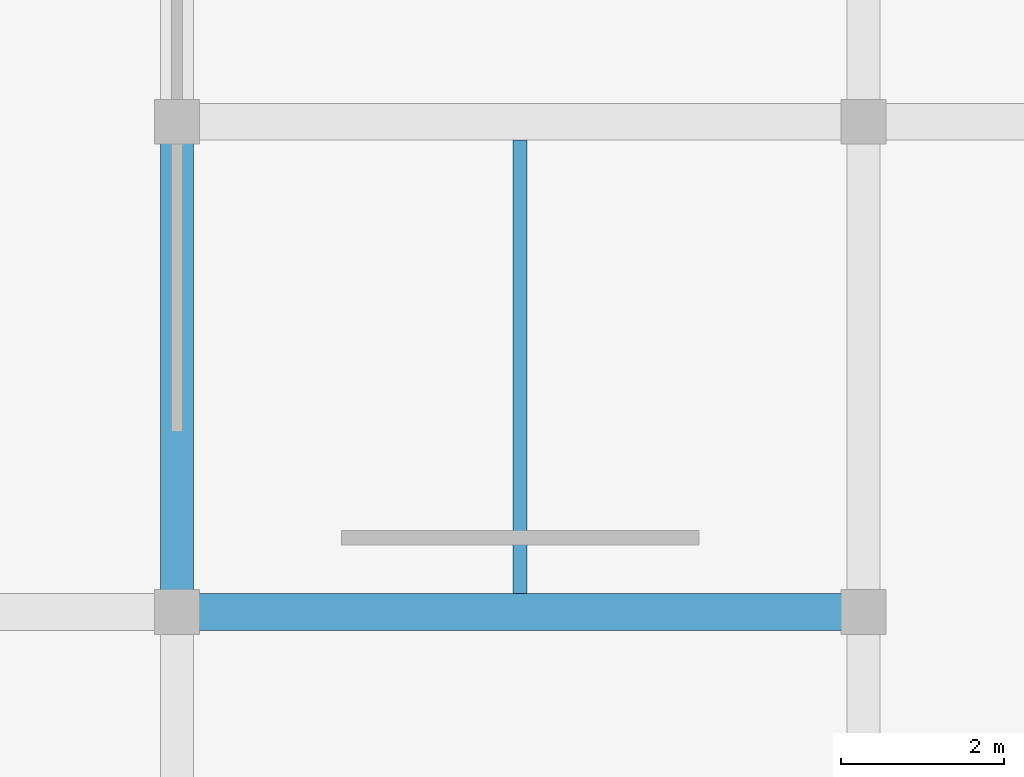
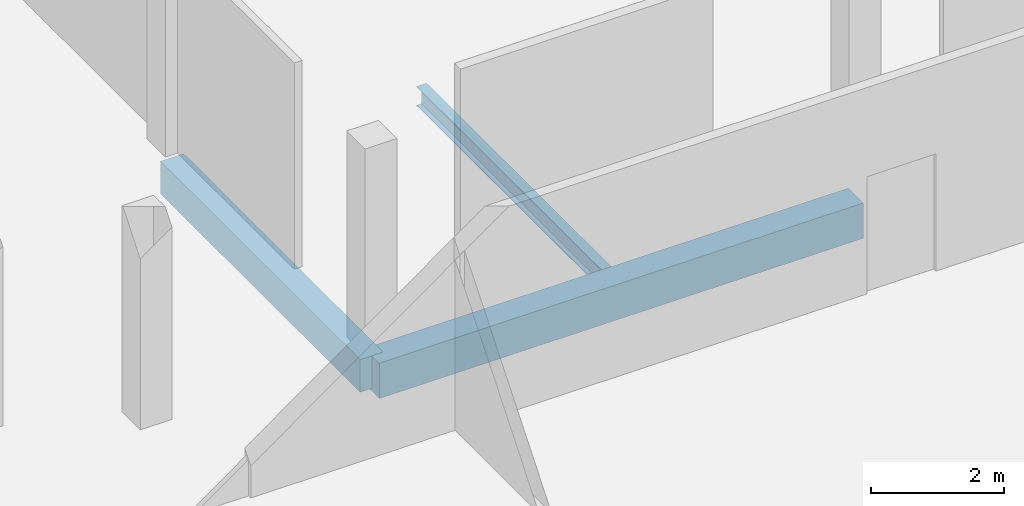
# One storey, part 10 of 66: 3 beams.
"""IFC4 building model written with IfcOpenShell, lengths in metres."""

from ifc_helpers import new_model, si_unit, direction, frame, origin, origin_2d, place, context, subcontext, project, spatial, rectangle, i_section, extrude, material, material_profile, profile_set, type_object, element, save


model = new_model("IFC4")

# Units and contexts
model_context = context("Model", 3, precision=1e-05, world=origin(), true_north=direction((0.0, 1.0)))
body_context = subcontext(model_context, "Body", "Model", "MODEL_VIEW")
ifc_project = project(units=[si_unit("LENGTHUNIT", "METRE"), si_unit("AREAUNIT", "SQUARE_METRE"), si_unit("VOLUMEUNIT", "CUBIC_METRE"), si_unit("PLANEANGLEUNIT", "RADIAN"), si_unit("MASSUNIT", "GRAM", prefix="KILO")], contexts=[model_context])

# Site, building, storey
site_placement = place(None, origin())
site = spatial("IfcSite", under=ifc_project, at=site_placement, CompositionType="ELEMENT")
building_placement = place(site_placement, origin())
building = spatial("IfcBuilding", under=site, at=building_placement, Name="Selatvlak General Hospital", CompositionType="ELEMENT")
storey_placement = place(building_placement, frame((0.0, 0.0, 31.35009765625)))
storey = spatial("IfcBuildingStorey", under=building, at=storey_placement, Name="L07", CompositionType="ELEMENT", Elevation=31.35009765625)

# Beams
ifc_material_1 = material(Name="Concrete C40/50", Category="concrete")
ifc_material_profile_1 = material_profile(ifc_material_1, rectangle(XDim=0.449951171875, YDim=0.64990234375, at=origin_2d()), Name="RC-BM 450x650")
ifc_profile_set_1 = profile_set([ifc_material_profile_1], Name="Concrete C40/50")
beam_type_1 = type_object("IfcBeamType", Name="BM-G04", PredefinedType="BEAM", material=ifc_profile_set_1)
beam_1_placement = place(storey_placement, frame((31.199951171875, 108.0, -0.59521484375), z_axis=(1.0, 0.0, 0.0), x_axis=(0.0, 1.0, 0.0)))
element("IfcBeam", 1, at=beam_1_placement, inside=storey, type_object=beam_type_1, Name="Beam BMR-L07-2426", PredefinedType="BEAM", context=body_context, shape_type="SweptSolid", body=[
    extrude(rectangle(XDim=0.449951171875, YDim=0.64990234375, at=origin_2d()), origin(), (0.0, 0.0, 1.0), 8.400146484375),
])
ifc_material_profile_2 = material_profile(ifc_material_1, rectangle(XDim=0.39990234375, YDim=0.60009765625, at=origin_2d()), Name="RC-BM 400x600")
ifc_profile_set_2 = profile_set([ifc_material_profile_2], Name="Concrete C40/50")
beam_type_2 = type_object("IfcBeamType", Name="BM-G05", PredefinedType="BEAM", material=ifc_profile_set_2)
beam_2_placement = place(storey_placement, frame((31.199951171875, 108.0, -0.570068359375), z_axis=(0.0, 1.0, 0.0), x_axis=(-1.0, 0.0, 0.0)))
element("IfcBeam", 2, at=beam_2_placement, inside=storey, type_object=beam_type_2, Name="Beam BMR-L07-2462", PredefinedType="BEAM", context=body_context, shape_type="SweptSolid", body=[
    extrude(rectangle(XDim=0.39990234375, YDim=0.60009765625, at=origin_2d()), origin(), (0.0, 0.0, 1.0), 6.0),
])
ifc_material_2 = material(Name="Steel S355", Category="steel")
ifc_material_profile_3 = material_profile(ifc_material_2, i_section(OverallWidth=0.17138671875, OverallDepth=0.35498046875, WebThickness=0.00732421875, FlangeThickness=0.011474609375, at=origin_2d()), Name="UB 356x171x51")
ifc_profile_set_3 = profile_set([ifc_material_profile_3], Name="Steel S355")
beam_type_3 = type_object("IfcBeamType", Name="BM-J05", PredefinedType="JOIST", material=ifc_profile_set_3)
beam_3_placement = place(storey_placement, frame((35.39990234375, 108.22509765625, -0.447998046875), z_axis=(0.0, 1.0, 0.0), x_axis=(-1.0, 0.0, 0.0)))
element("IfcBeam", 3, at=beam_3_placement, inside=storey, type_object=beam_type_3, Name="Beam BMR-L07-2548", PredefinedType="JOIST", context=body_context, shape_type="SweptSolid", body=[
    extrude(i_section(OverallWidth=0.17138671875, OverallDepth=0.35498046875, WebThickness=0.00732421875, FlangeThickness=0.011474609375, at=origin_2d()), origin(), (0.0, 0.0, 1.0), 5.5498046875),
])

save(model, "model.ifc")
